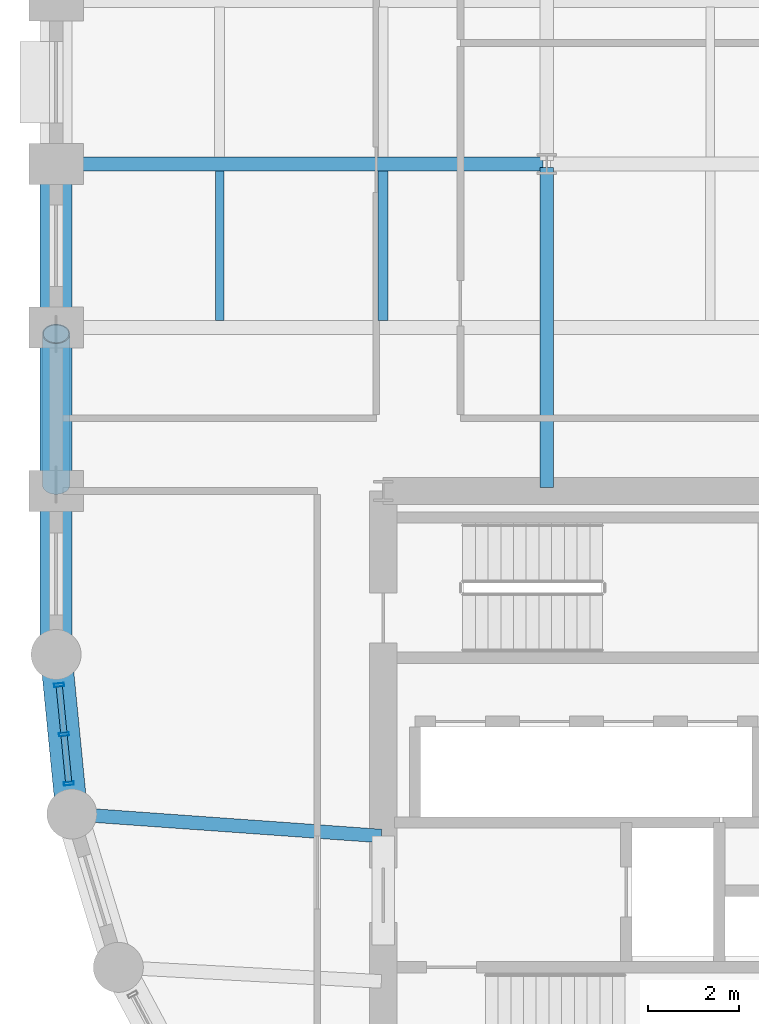
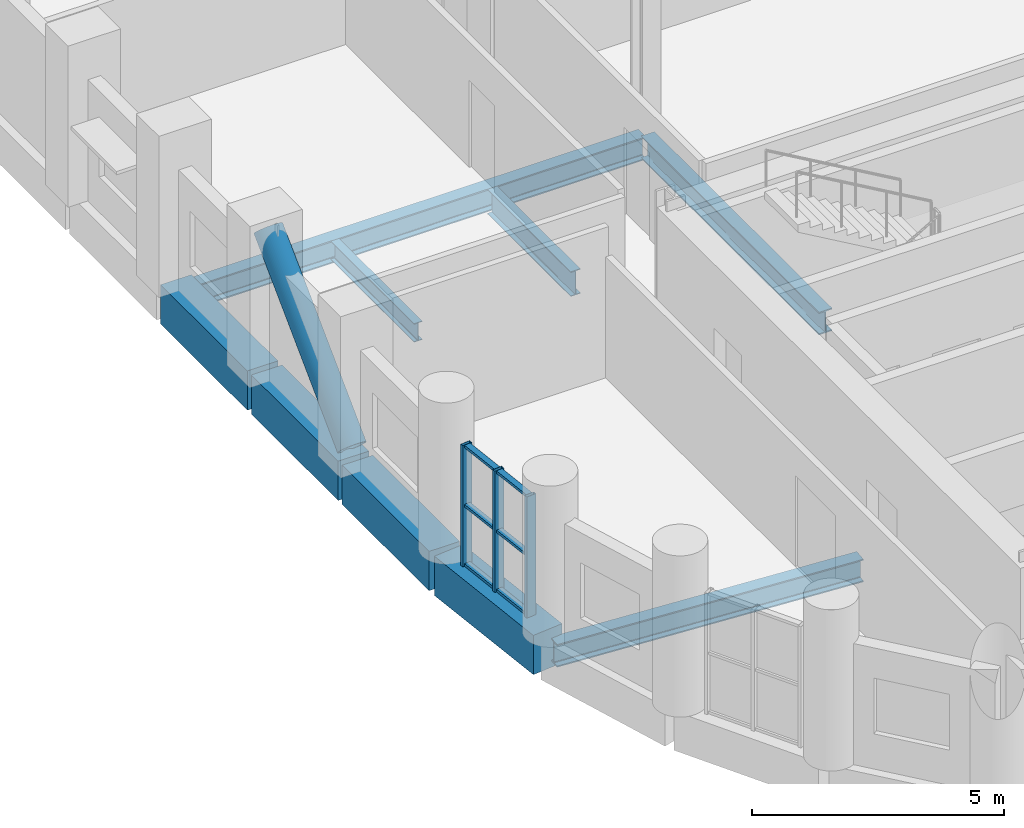
# One storey, part 4 of 14: 10 members, 9 beams, 1 element without a shape of its own.
"""IFC4 building model written with IfcOpenShell, lengths in metres."""

from ifc_helpers import new_model, si_unit, direction, frame, origin, origin_2d, place, context, subcontext, project, spatial, rectangle, hollow_rectangle, hollow_circle, i_section, extrude, material, layer, layer_set, material_profile, profile_set, type_object, element, aggregate, save


model = new_model("IFC4")

# Units and contexts
model_context = context("Model", 3, precision=1e-05, world=origin(), true_north=direction((0.0, 1.0)))
body_context = subcontext(model_context, "Body", "Model", "MODEL_VIEW")
ifc_project = project(units=[si_unit("LENGTHUNIT", "METRE"), si_unit("AREAUNIT", "SQUARE_METRE"), si_unit("VOLUMEUNIT", "CUBIC_METRE"), si_unit("PLANEANGLEUNIT", "RADIAN"), si_unit("MASSUNIT", "GRAM", prefix="KILO")], contexts=[model_context])

# Site, building, storey
site_placement = place(None, origin())
site = spatial("IfcSite", under=ifc_project, at=site_placement, CompositionType="ELEMENT")
building_placement = place(site_placement, origin())
building = spatial("IfcBuilding", under=site, at=building_placement, Name="Solnavia Interchange Tower", CompositionType="ELEMENT")
storey_placement = place(building_placement, frame((0.0, 0.0, 63.0)))
storey = spatial("IfcBuildingStorey", under=building, at=storey_placement, Name="L15", CompositionType="ELEMENT", Elevation=63.0)

# Beams
ifc_material_1 = material(Name="Steel S460", Category="steel")
ifc_material_profile_1 = material_profile(ifc_material_1, i_section(OverallWidth=0.300048828125, OverallDepth=0.550048828125, WebThickness=0.014892578125, FlangeThickness=0.029052734375, FilletRadius=0.027099609375, at=origin_2d()), Name="HEB 550")
ifc_profile_set_1 = profile_set([ifc_material_profile_1], Name="Steel S460")
beam_type_1 = type_object("IfcBeamType", Name="Beam-Girder-HEB550", PredefinedType="BEAM", material=ifc_profile_set_1)
beam_1_placement = place(storey_placement, frame((18.0, 25.280029296875, -0.52490234375), z_axis=(0.0, 1.0, 0.0), x_axis=(-1.0, 0.0, 0.0)))
element("IfcBeam", 1, at=beam_1_placement, inside=storey, type_object=beam_type_1, Name="GRD-L15-NS12 North wing spine girder", PredefinedType="BEAM", context=body_context, shape_type="SweptSolid", body=[
    extrude(i_section(OverallWidth=0.300048828125, OverallDepth=0.550048828125, WebThickness=0.014892578125, FlangeThickness=0.029052734375, FilletRadius=0.027099609375, at=origin_2d()), origin(), (0.0, 0.0, 1.0), 7.0400390625),
])
beam_2_placement = place(storey_placement, frame((7.280029296875, 32.39990234375, -0.52490234375), z_axis=(1.0, 0.0, 0.0), x_axis=(0.0, 1.0, 0.0)))
element("IfcBeam", 2, at=beam_2_placement, inside=storey, type_object=beam_type_1, Name="GRD-L15-NW16 North wing primary floor girder", PredefinedType="BEAM", context=body_context, shape_type="SweptSolid", body=[
    extrude(i_section(OverallWidth=0.300048828125, OverallDepth=0.550048828125, WebThickness=0.014892578125, FlangeThickness=0.029052734375, FilletRadius=0.027099609375, at=origin_2d()), origin(), (0.0, 0.0, 1.0), 10.639892578125),
])
beam_3_placement = place(storey_placement, frame((7.625732421875, 18.082275390625, -0.52490234375), z_axis=(0.99747482749, -0.071020902015, 0.0), x_axis=(0.071020902015, 0.99747482749, 0.0)))
element("IfcBeam", 3, at=beam_3_placement, inside=storey, type_object=beam_type_1, Name="GRD-L15-DR22 Drum radial floor girder", PredefinedType="BEAM", context=body_context, shape_type="SweptSolid", body=[
    extrude(i_section(OverallWidth=0.300048828125, OverallDepth=0.550048828125, WebThickness=0.014892578125, FlangeThickness=0.029052734375, FilletRadius=0.027099609375, at=origin_2d()), origin(), (0.0, 0.0, 1.0), 6.75146484375),
])
ifc_material_2 = material(Name="Steel S355", Category="steel")
ifc_material_profile_2 = material_profile(ifc_material_2, i_section(OverallWidth=0.18994140625, OverallDepth=0.449951171875, WebThickness=0.009521484375, FlangeThickness=0.0146484375, FilletRadius=0.02099609375, at=origin_2d()), Name="IPE 450")
ifc_profile_set_2 = profile_set([ifc_material_profile_2], Name="Steel S355")
beam_type_2 = type_object("IfcBeamType", Name="Beam-Joist-IPE450", PredefinedType="JOIST", material=ifc_profile_set_2)
beam_4_placement = place(storey_placement, frame((10.800048828125, 28.949951171875, -0.47509765625), z_axis=(0.0, 1.0, 0.0), x_axis=(-1.0, 0.0, 0.0)))
element("IfcBeam", 4, at=beam_4_placement, inside=storey, type_object=beam_type_2, Name="JST-L15-N21 North wing secondary joist", PredefinedType="JOIST", context=body_context, shape_type="SweptSolid", body=[
    extrude(i_section(OverallWidth=0.18994140625, OverallDepth=0.449951171875, WebThickness=0.009521484375, FlangeThickness=0.0146484375, FilletRadius=0.02099609375, at=origin_2d()), origin(), (0.0, 0.0, 1.0), 3.300048828125),
])
ifc_material_profile_3 = material_profile(ifc_material_2, i_section(OverallWidth=0.219970703125, OverallDepth=0.60009765625, WebThickness=0.011962890625, FlangeThickness=0.01904296875, FilletRadius=0.02392578125, at=origin_2d()), Name="IPE 600")
ifc_profile_set_3 = profile_set([ifc_material_profile_3], Name="Steel S355")
beam_type_3 = type_object("IfcBeamType", Name="Beam-Joist-IPE600", PredefinedType="JOIST", material=ifc_profile_set_3)
beam_5_placement = place(storey_placement, frame((14.39990234375, 28.949951171875, -0.550048828125), z_axis=(0.0, 1.0, 0.0), x_axis=(-1.0, 0.0, 0.0)))
element("IfcBeam", 5, at=beam_5_placement, inside=storey, type_object=beam_type_3, Name="JST-L15-N25 North wing secondary joist", PredefinedType="JOIST", context=body_context, shape_type="SweptSolid", body=[
    extrude(i_section(OverallWidth=0.219970703125, OverallDepth=0.60009765625, WebThickness=0.011962890625, FlangeThickness=0.01904296875, FilletRadius=0.02392578125, at=origin_2d()), origin(), (0.0, 0.0, 1.0), 3.300048828125),
])
ifc_material_3 = material(Name="Concrete C50/60", Category="concrete")
ifc_material_profile_4 = material_profile(ifc_material_3, rectangle(XDim=0.699951171875, YDim=0.949951171875, at=origin_2d()), Name="RC 700x950")
ifc_profile_set_4 = profile_set([ifc_material_profile_4], Name="Concrete C50/60")
beam_type_4 = type_object("IfcBeamType", Name="Beam-Spandrel-RC700x950", PredefinedType="SPANDREL", material=ifc_profile_set_4)
beam_6_placement = place(storey_placement, frame((7.207763671875, 21.5205078125, -0.47509765625), z_axis=(0.098040038117, -0.995182471171, 0.0), x_axis=(0.995182471171, 0.098040038117, 0.0)))
element("IfcBeam", 6, at=beam_6_placement, inside=storey, type_object=beam_type_4, Name="SPB-L15-01 Framed-tube perimeter spandrel beam", PredefinedType="SPANDREL", context=body_context, shape_type="SweptSolid", body=[
    extrude(rectangle(XDim=0.699951171875, YDim=0.949951171875, at=origin_2d()), origin(), (0.0, 0.0, 1.0), 3.369140625),
])
beam_7_placement = place(storey_placement, frame((7.199951171875, 32.320068359375, -0.47509765625), z_axis=(0.0, -1.0, 0.0), x_axis=(1.0, 0.0, 0.0)))
element("IfcBeam", 7, at=beam_7_placement, inside=storey, type_object=beam_type_4, Name="SPB-L15-42 Framed-tube perimeter spandrel beam", PredefinedType="SPANDREL", context=body_context, shape_type="SweptSolid", body=[
    extrude(rectangle(XDim=0.699951171875, YDim=0.949951171875, at=origin_2d()), origin(), (0.0, 0.0, 1.0), 3.440185546875),
])
beam_8_placement = place(storey_placement, frame((7.199951171875, 28.719970703125, -0.47509765625), z_axis=(0.0, -1.0, 0.0), x_axis=(1.0, 0.0, 0.0)))
element("IfcBeam", 8, at=beam_8_placement, inside=storey, type_object=beam_type_4, Name="SPB-L15-43 Framed-tube perimeter spandrel beam", PredefinedType="SPANDREL", context=body_context, shape_type="SweptSolid", body=[
    extrude(rectangle(XDim=0.699951171875, YDim=0.949951171875, at=origin_2d()), origin(), (0.0, 0.0, 1.0), 3.43994140625),
])
beam_9_placement = place(storey_placement, frame((7.199951171875, 25.1201171875, -0.47509765625), z_axis=(0.0, -1.0, 0.0), x_axis=(1.0, 0.0, 0.0)))
element("IfcBeam", 9, at=beam_9_placement, inside=storey, type_object=beam_type_4, Name="SPB-L15-44 Framed-tube perimeter spandrel beam", PredefinedType="SPANDREL", context=body_context, shape_type="SweptSolid", body=[
    extrude(rectangle(XDim=0.699951171875, YDim=0.949951171875, at=origin_2d()), origin(), (0.0, 0.0, 1.0), 3.440185546875),
])

# Member
ifc_material_profile_5 = material_profile(ifc_material_1, hollow_circle(Radius=0.304931640625, WallThickness=0.02490234375, at=origin_2d()), Name="CHS 610x25")
ifc_profile_set_5 = profile_set([ifc_material_profile_5], Name="Steel S460")
member_type_1 = type_object("IfcMemberType", Name="Brace-Perim-CHS610", PredefinedType="BRACE", material=ifc_profile_set_5)
member_1_placement = place(storey_placement, frame((7.199951171875, 25.340087890625, 0.179931640625), z_axis=(0.0, 0.710285911997, 0.703913292401), x_axis=(-1.0, 0.0, 0.0)))
element("IfcMember", 10, at=member_1_placement, inside=storey, type_object=member_type_1, Name="BRC-L15-01 Perimeter tube diagonal brace", PredefinedType="BRACE", context=body_context, shape_type="SweptSolid", body=[
    extrude(hollow_circle(Radius=0.304931640625, WallThickness=0.02490234375, at=origin_2d()), origin(), (0.0, 0.0, 1.0), 4.673828125),
])

# Curtain wall, members
ifc_material_4 = material(Name="Aluminium Alloy 6063-T6", Category="aluminium")
ifc_layer = layer(ifc_material_4, 0.239990234375)
ifc_layer_set = layer_set([ifc_layer], Name="Aluminium Alloy 6063-T6")
curtain_wall_type = type_object("IfcCurtainWallType", Name="CurtainWall-Drum-CTW2", PredefinedType="NOTDEFINED", material=ifc_layer_set)
curtain_wall_placement = place(storey_placement, origin())
curtain_wall = element("IfcCurtainWall", 11, at=curtain_wall_placement, inside=storey, type_object=curtain_wall_type, Name="CTW-L15-D57 CTW-2 curtain wall", PredefinedType="NOTDEFINED")
ifc_material_profile_6 = material_profile(ifc_material_4, hollow_rectangle(XDim=0.074951171875, YDim=0.219970703125, WallThickness=0.0048828125, at=origin_2d()), Name="ALU 220x75x5")
ifc_profile_set_6 = profile_set([ifc_material_profile_6], Name="Aluminium Alloy 6063-T6")
member_type_2 = type_object("IfcMemberType", Name="CW-Mullion-CWM-2", PredefinedType="MULLION", material=ifc_profile_set_6)
member_2_placement = place(storey_placement, frame((7.26611328125, 20.92822265625, 0.0), z_axis=(0.0, 0.0, 1.0), x_axis=(0.098045297616, -0.995181953019, 0.0)))
member_2 = element("IfcMember", 12, at=member_2_placement, type_object=member_type_2, Name="CTW-2 mullion 1", PredefinedType="MULLION", context=body_context, shape_type="SweptSolid", body=[
    extrude(hollow_rectangle(XDim=0.074951171875, YDim=0.219970703125, WallThickness=0.0048828125, at=origin_2d()), origin(), (0.0, 0.0, 1.0), 2.929931640625),
])
member_3_placement = place(storey_placement, frame((7.373046875, 19.843994140625, 0.0), z_axis=(0.0, 0.0, 1.0), x_axis=(0.098045297616, -0.995181953019, 0.0)))
member_3 = element("IfcMember", 13, at=member_3_placement, type_object=member_type_2, Name="CTW-2 mullion 2", PredefinedType="MULLION", context=body_context, shape_type="SweptSolid", body=[
    extrude(hollow_rectangle(XDim=0.074951171875, YDim=0.219970703125, WallThickness=0.0048828125, at=origin_2d()), origin(), (0.0, 0.0, 1.0), 2.929931640625),
])
member_4_placement = place(storey_placement, frame((7.479736328125, 18.759765625, 0.0), z_axis=(0.0, 0.0, 1.0), x_axis=(0.098045297616, -0.995181953019, 0.0)))
member_4 = element("IfcMember", 14, at=member_4_placement, type_object=member_type_2, Name="CTW-2 mullion 3", PredefinedType="MULLION", context=body_context, shape_type="SweptSolid", body=[
    extrude(hollow_rectangle(XDim=0.074951171875, YDim=0.219970703125, WallThickness=0.0048828125, at=origin_2d()), origin(), (0.0, 0.0, 1.0), 2.929931640625),
])
ifc_material_profile_7 = material_profile(ifc_material_4, hollow_rectangle(XDim=0.06494140625, YDim=0.139892578125, WallThickness=0.00390625, at=origin_2d()), Name="ALU 140x65x4")
ifc_profile_set_7 = profile_set([ifc_material_profile_7], Name="Aluminium Alloy 6063-T6")
member_type_3 = type_object("IfcMemberType", Name="CW-Transom-CWT-2", PredefinedType="USERDEFINED", material=ifc_profile_set_7)
member_5_placement = place(storey_placement, frame((7.269775390625, 20.890869140625, 0.032470703125), z_axis=(0.098193057541, -0.99516738464, 0.0), x_axis=(0.0, 0.0, 1.0)))
member_5 = element("IfcMember", 15, at=member_5_placement, type_object=member_type_3, Name="CTW-2 transom 1.1", ObjectType="TRANSOM", PredefinedType="USERDEFINED", context=body_context, shape_type="SweptSolid", body=[
    extrude(hollow_rectangle(XDim=0.06494140625, YDim=0.139892578125, WallThickness=0.00390625, at=origin_2d()), origin(), (0.0, 0.0, 1.0), 1.014404296875),
])
member_6_placement = place(storey_placement, frame((7.269775390625, 20.890869140625, 1.465087890625), z_axis=(0.098193057541, -0.99516738464, 0.0), x_axis=(0.0, 0.0, 1.0)))
member_6 = element("IfcMember", 16, at=member_6_placement, type_object=member_type_3, Name="CTW-2 transom 1.2", ObjectType="TRANSOM", PredefinedType="USERDEFINED", context=body_context, shape_type="SweptSolid", body=[
    extrude(hollow_rectangle(XDim=0.06494140625, YDim=0.139892578125, WallThickness=0.00390625, at=origin_2d()), origin(), (0.0, 0.0, 1.0), 1.014404296875),
])
member_7_placement = place(storey_placement, frame((7.269775390625, 20.890869140625, 2.8974609375), z_axis=(0.098193057541, -0.99516738464, 0.0), x_axis=(0.0, 0.0, 1.0)))
member_7 = element("IfcMember", 17, at=member_7_placement, type_object=member_type_3, Name="CTW-2 transom 1.3", ObjectType="TRANSOM", PredefinedType="USERDEFINED", context=body_context, shape_type="SweptSolid", body=[
    extrude(hollow_rectangle(XDim=0.06494140625, YDim=0.139892578125, WallThickness=0.00390625, at=origin_2d()), origin(), (0.0, 0.0, 1.0), 1.014404296875),
])
member_8_placement = place(storey_placement, frame((7.376708984375, 19.806640625, 0.032470703125), z_axis=(0.097954700343, -0.995190874496, 0.0), x_axis=(0.0, 0.0, 1.0)))
member_8 = element("IfcMember", 18, at=member_8_placement, type_object=member_type_3, Name="CTW-2 transom 2.1", ObjectType="TRANSOM", PredefinedType="USERDEFINED", context=body_context, shape_type="SweptSolid", body=[
    extrude(hollow_rectangle(XDim=0.06494140625, YDim=0.139892578125, WallThickness=0.00390625, at=origin_2d()), origin(), (0.0, 0.0, 1.0), 1.014404296875),
])
member_9_placement = place(storey_placement, frame((7.376708984375, 19.806640625, 1.465087890625), z_axis=(0.097954700343, -0.995190874496, 0.0), x_axis=(0.0, 0.0, 1.0)))
member_9 = element("IfcMember", 19, at=member_9_placement, type_object=member_type_3, Name="CTW-2 transom 2.2", ObjectType="TRANSOM", PredefinedType="USERDEFINED", context=body_context, shape_type="SweptSolid", body=[
    extrude(hollow_rectangle(XDim=0.06494140625, YDim=0.139892578125, WallThickness=0.00390625, at=origin_2d()), origin(), (0.0, 0.0, 1.0), 1.014404296875),
])
member_10_placement = place(storey_placement, frame((7.376708984375, 19.806640625, 2.8974609375), z_axis=(0.097954700343, -0.995190874496, 0.0), x_axis=(0.0, 0.0, 1.0)))
member_10 = element("IfcMember", 20, at=member_10_placement, type_object=member_type_3, Name="CTW-2 transom 2.3", ObjectType="TRANSOM", PredefinedType="USERDEFINED", context=body_context, shape_type="SweptSolid", body=[
    extrude(hollow_rectangle(XDim=0.06494140625, YDim=0.139892578125, WallThickness=0.00390625, at=origin_2d()), origin(), (0.0, 0.0, 1.0), 1.014404296875),
])
aggregate(curtain_wall, [member_2, member_3, member_4, member_5, member_6, member_7, member_8, member_9, member_10])

save(model, "model.ifc")
